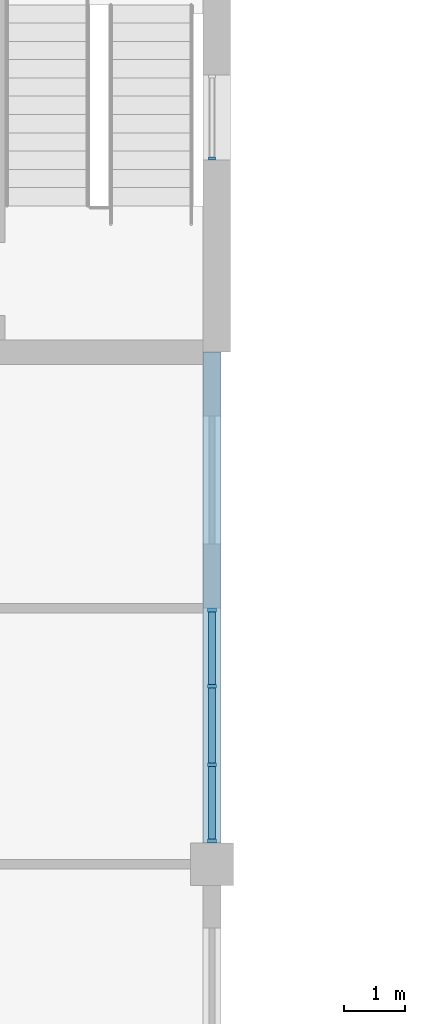
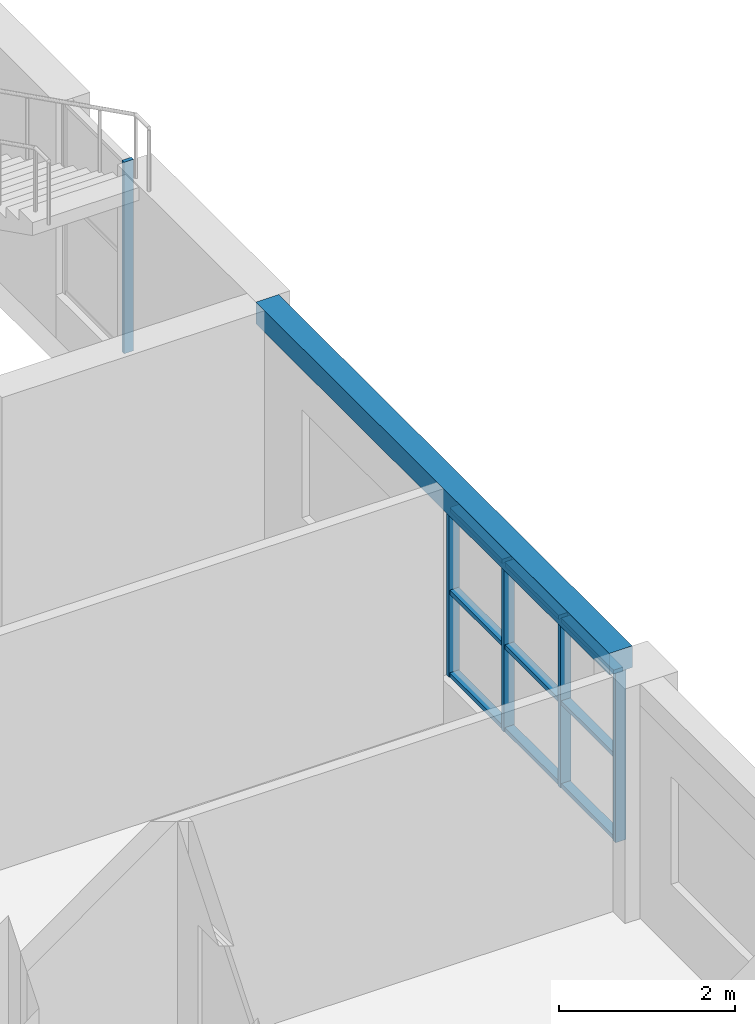
# One storey, part 11 of 46: 14 members, 1 beam, 2 elements without a shape of their own.
"""IFC4 building model written with IfcOpenShell, lengths in metres."""

from ifc_helpers import new_model, si_unit, direction, frame, origin, origin_2d, place, context, subcontext, project, spatial, rectangle, extrude, material, material_profile, profile_set, type_object, element, aggregate, save


model = new_model("IFC4")

# Units and contexts
model_context = context("Model", 3, precision=1e-05, world=origin(), true_north=direction((0.0, 1.0)))
body_context = subcontext(model_context, "Body", "Model", "MODEL_VIEW")
ifc_project = project(units=[si_unit("LENGTHUNIT", "METRE"), si_unit("AREAUNIT", "SQUARE_METRE"), si_unit("VOLUMEUNIT", "CUBIC_METRE"), si_unit("PLANEANGLEUNIT", "RADIAN"), si_unit("MASSUNIT", "GRAM", prefix="KILO")], contexts=[model_context])

# Site, building, storey
site_placement = place(None, origin())
site = spatial("IfcSite", under=ifc_project, at=site_placement, CompositionType="ELEMENT")
building_placement = place(site_placement, origin())
building = spatial("IfcBuilding", under=site, at=building_placement, Name="Yavir Park General Hospital", CompositionType="ELEMENT")
storey_placement = place(building_placement, frame((0.0, 0.0, 18.89990234375)))
storey = spatial("IfcBuildingStorey", under=building, at=storey_placement, Name="L04", CompositionType="ELEMENT", Elevation=18.89990234375)

# Curtain wall, members
ifc_material_1 = material(Name="Aluminium curtain wall frame with insulated glazing", Category="aluminium")
curtain_wall_type_1 = type_object("IfcCurtainWallType", Name="Day room pocket glazing, ward floors, 2360 high, 1400 module", PredefinedType="NOTDEFINED", material=ifc_material_1)
curtain_wall_1_placement = place(storey_placement, origin())
curtain_wall_1 = element("IfcCurtainWall", 1, at=curtain_wall_1_placement, inside=storey, type_object=curtain_wall_type_1, Name="CW6 L04-023", PredefinedType="NOTDEFINED")
ifc_material_2 = material(Name="Aluminium", Category="aluminium")
ifc_material_profile_1 = material_profile(ifc_material_2, rectangle(XDim=0.139892578125, YDim=0.06005859375, at=origin_2d()), Name="AL 60x140")
ifc_profile_set_1 = profile_set([ifc_material_profile_1], Name="Aluminium")
member_type_1 = type_object("IfcMemberType", Name="Day room pocket glazing, ward floors, 2360 high mullion 60 x 140", PredefinedType="MULLION", material=ifc_profile_set_1)
member_1_placement = place(storey_placement, frame((25.199951171875, 67.580078125, 0.60009765625), z_axis=(0.0, 0.0, 1.0), x_axis=(-1.0, 0.0, 0.0)))
member_1 = element("IfcMember", 2, at=member_1_placement, type_object=member_type_1, Name="CW6 mullion 1", PredefinedType="MULLION", context=body_context, shape_type="SweptSolid", body=[
    extrude(rectangle(XDim=0.139892578125, YDim=0.06005859375, at=origin_2d()), origin(), (0.0, 0.0, 1.0), 2.360107421875),
])
member_2_placement = place(storey_placement, frame((25.199951171875, 68.833251953125, 0.60009765625), z_axis=(0.0, 0.0, 1.0), x_axis=(-1.0, 0.0, 0.0)))
member_2 = element("IfcMember", 3, at=member_2_placement, type_object=member_type_1, Name="CW6 mullion 2", PredefinedType="MULLION", context=body_context, shape_type="SweptSolid", body=[
    extrude(rectangle(XDim=0.139892578125, YDim=0.06005859375, at=origin_2d()), origin(), (0.0, 0.0, 1.0), 2.360107421875),
])
member_3_placement = place(storey_placement, frame((25.199951171875, 70.11669921875, 0.60009765625), z_axis=(0.0, 0.0, 1.0), x_axis=(-1.0, 0.0, 0.0)))
member_3 = element("IfcMember", 4, at=member_3_placement, type_object=member_type_1, Name="CW6 mullion 3", PredefinedType="MULLION", context=body_context, shape_type="SweptSolid", body=[
    extrude(rectangle(XDim=0.139892578125, YDim=0.06005859375, at=origin_2d()), origin(), (0.0, 0.0, 1.0), 2.360107421875),
])
member_4_placement = place(storey_placement, frame((25.199951171875, 71.3701171875, 0.60009765625), z_axis=(0.0, 0.0, 1.0), x_axis=(-1.0, 0.0, 0.0)))
member_4 = element("IfcMember", 5, at=member_4_placement, type_object=member_type_1, Name="CW6 mullion 4", PredefinedType="MULLION", context=body_context, shape_type="SweptSolid", body=[
    extrude(rectangle(XDim=0.139892578125, YDim=0.06005859375, at=origin_2d()), origin(), (0.0, 0.0, 1.0), 2.360107421875),
])
ifc_material_3 = material(Name="Aluminium", Category="aluminium")
ifc_material_profile_2 = material_profile(ifc_material_3, rectangle(XDim=0.1201171875, YDim=0.06005859375, at=origin_2d()), Name="AL 120x60")
ifc_profile_set_2 = profile_set([ifc_material_profile_2], Name="Aluminium")
member_type_2 = type_object("IfcMemberType", Name="Day room pocket glazing, ward floors, 2360 high transom 60 x 120", PredefinedType="MULLION", material=ifc_profile_set_2)
member_5_placement = place(storey_placement, frame((25.199951171875, 67.610107421875, 0.630126953125), z_axis=(0.0, 1.0, 0.0), x_axis=(-1.0, 0.0, 0.0)))
member_5 = element("IfcMember", 6, at=member_5_placement, type_object=member_type_2, Name="CW6 transom 1.1", PredefinedType="MULLION", context=body_context, shape_type="SweptSolid", body=[
    extrude(rectangle(XDim=0.1201171875, YDim=0.06005859375, at=origin_2d()), origin(), (0.0, 0.0, 1.0), 1.193115234375),
])
member_6_placement = place(storey_placement, frame((25.199951171875, 67.610107421875, 1.780029296875), z_axis=(0.0, 1.0, 0.0), x_axis=(-1.0, 0.0, 0.0)))
member_6 = element("IfcMember", 7, at=member_6_placement, type_object=member_type_2, Name="CW6 transom 1.2", PredefinedType="MULLION", context=body_context, shape_type="SweptSolid", body=[
    extrude(rectangle(XDim=0.1201171875, YDim=0.06005859375, at=origin_2d()), origin(), (0.0, 0.0, 1.0), 1.193115234375),
])
member_7_placement = place(storey_placement, frame((25.199951171875, 67.610107421875, 2.93017578125), z_axis=(0.0, 1.0, 0.0), x_axis=(-1.0, 0.0, 0.0)))
member_7 = element("IfcMember", 8, at=member_7_placement, type_object=member_type_2, Name="CW6 transom 1.3", PredefinedType="MULLION", context=body_context, shape_type="SweptSolid", body=[
    extrude(rectangle(XDim=0.1201171875, YDim=0.06005859375, at=origin_2d()), origin(), (0.0, 0.0, 1.0), 1.193115234375),
])
member_8_placement = place(storey_placement, frame((25.199951171875, 68.86328125, 0.630126953125), z_axis=(0.0, 1.0, 0.0), x_axis=(-1.0, 0.0, 0.0)))
member_8 = element("IfcMember", 9, at=member_8_placement, type_object=member_type_2, Name="CW6 transom 2.1", PredefinedType="MULLION", context=body_context, shape_type="SweptSolid", body=[
    extrude(rectangle(XDim=0.1201171875, YDim=0.06005859375, at=origin_2d()), origin(), (0.0, 0.0, 1.0), 1.223388671875),
])
member_9_placement = place(storey_placement, frame((25.199951171875, 68.86328125, 1.780029296875), z_axis=(0.0, 1.0, 0.0), x_axis=(-1.0, 0.0, 0.0)))
member_9 = element("IfcMember", 10, at=member_9_placement, type_object=member_type_2, Name="CW6 transom 2.2", PredefinedType="MULLION", context=body_context, shape_type="SweptSolid", body=[
    extrude(rectangle(XDim=0.1201171875, YDim=0.06005859375, at=origin_2d()), origin(), (0.0, 0.0, 1.0), 1.223388671875),
])
member_10_placement = place(storey_placement, frame((25.199951171875, 68.86328125, 2.93017578125), z_axis=(0.0, 1.0, 0.0), x_axis=(-1.0, 0.0, 0.0)))
member_10 = element("IfcMember", 11, at=member_10_placement, type_object=member_type_2, Name="CW6 transom 2.3", PredefinedType="MULLION", context=body_context, shape_type="SweptSolid", body=[
    extrude(rectangle(XDim=0.1201171875, YDim=0.06005859375, at=origin_2d()), origin(), (0.0, 0.0, 1.0), 1.223388671875),
])
member_11_placement = place(storey_placement, frame((25.199951171875, 70.146728515625, 0.630126953125), z_axis=(0.0, 1.0, 0.0), x_axis=(-1.0, 0.0, 0.0)))
member_11 = element("IfcMember", 12, at=member_11_placement, type_object=member_type_2, Name="CW6 transom 3.1", PredefinedType="MULLION", context=body_context, shape_type="SweptSolid", body=[
    extrude(rectangle(XDim=0.1201171875, YDim=0.06005859375, at=origin_2d()), origin(), (0.0, 0.0, 1.0), 1.193359375),
])
member_12_placement = place(storey_placement, frame((25.199951171875, 70.146728515625, 1.780029296875), z_axis=(0.0, 1.0, 0.0), x_axis=(-1.0, 0.0, 0.0)))
member_12 = element("IfcMember", 13, at=member_12_placement, type_object=member_type_2, Name="CW6 transom 3.2", PredefinedType="MULLION", context=body_context, shape_type="SweptSolid", body=[
    extrude(rectangle(XDim=0.1201171875, YDim=0.06005859375, at=origin_2d()), origin(), (0.0, 0.0, 1.0), 1.193359375),
])
member_13_placement = place(storey_placement, frame((25.199951171875, 70.146728515625, 2.93017578125), z_axis=(0.0, 1.0, 0.0), x_axis=(-1.0, 0.0, 0.0)))
member_13 = element("IfcMember", 14, at=member_13_placement, type_object=member_type_2, Name="CW6 transom 3.3", PredefinedType="MULLION", context=body_context, shape_type="SweptSolid", body=[
    extrude(rectangle(XDim=0.1201171875, YDim=0.06005859375, at=origin_2d()), origin(), (0.0, 0.0, 1.0), 1.193359375),
])
aggregate(curtain_wall_1, [member_1, member_2, member_3, member_4, member_5, member_6, member_7, member_8, member_9, member_10, member_11, member_12, member_13])

# Beam
ifc_material_4 = material(Name="Concrete C35/45", Category="concrete")
ifc_material_profile_3 = material_profile(ifc_material_4, rectangle(XDim=0.300048828125, YDim=0.300048828125, at=origin_2d()), Name="RC300x300")
ifc_profile_set_3 = profile_set([ifc_material_profile_3], Name="Concrete C35/45")
beam_type = type_object("IfcBeamType", Name="RC BEAM 300x300 edge beam", PredefinedType="BEAM", material=ifc_profile_set_3)
beam_placement = place(storey_placement, frame((25.199951171875, 67.550048828125, 3.110107421875), z_axis=(0.0, 1.0, 0.0), x_axis=(-1.0, 0.0, 0.0)))
element("IfcBeam", 15, at=beam_placement, inside=storey, type_object=beam_type, Name="B:EDGE:L04:031", PredefinedType="BEAM", context=body_context, shape_type="SweptSolid", body=[
    extrude(rectangle(XDim=0.300048828125, YDim=0.300048828125, at=origin_2d()), origin(), (0.0, 0.0, 1.0), 8.050048828125),
])

# Curtain wall, member
ifc_material_5 = material(Name="Aluminium curtain wall frame with insulated glazing", Category="aluminium")
curtain_wall_type_2 = type_object("IfcCurtainWallType", Name="Stair light slot, ward floors, 2660 high, 1400 module", PredefinedType="NOTDEFINED", material=ifc_material_5)
curtain_wall_2_placement = place(storey_placement, origin())
curtain_wall_2 = element("IfcCurtainWall", 16, at=curtain_wall_2_placement, inside=storey, type_object=curtain_wall_type_2, Name="CW10 L04-024", PredefinedType="NOTDEFINED")
ifc_material_6 = material(Name="Aluminium", Category="aluminium")
ifc_material_profile_4 = material_profile(ifc_material_6, rectangle(XDim=0.1201171875, YDim=0.050048828125, at=origin_2d()), Name="AL 50x120")
ifc_profile_set_4 = profile_set([ifc_material_profile_4], Name="Aluminium")
member_type_3 = type_object("IfcMemberType", Name="Stair light slot, ward floors, 2660 high mullion 50 x 120", PredefinedType="MULLION", material=ifc_profile_set_4)
member_14_placement = place(storey_placement, frame((25.199951171875, 78.77490234375, 0.60009765625), z_axis=(0.0, 0.0, 1.0), x_axis=(-1.0, 0.0, 0.0)))
member_14 = element("IfcMember", 17, at=member_14_placement, type_object=member_type_3, Name="CW10 mullion 1", PredefinedType="MULLION", context=body_context, shape_type="SweptSolid", body=[
    extrude(rectangle(XDim=0.1201171875, YDim=0.050048828125, at=origin_2d()), origin(), (0.0, 0.0, 1.0), 2.659912109375),
])
aggregate(curtain_wall_2, [member_14])

save(model, "model.ifc")
